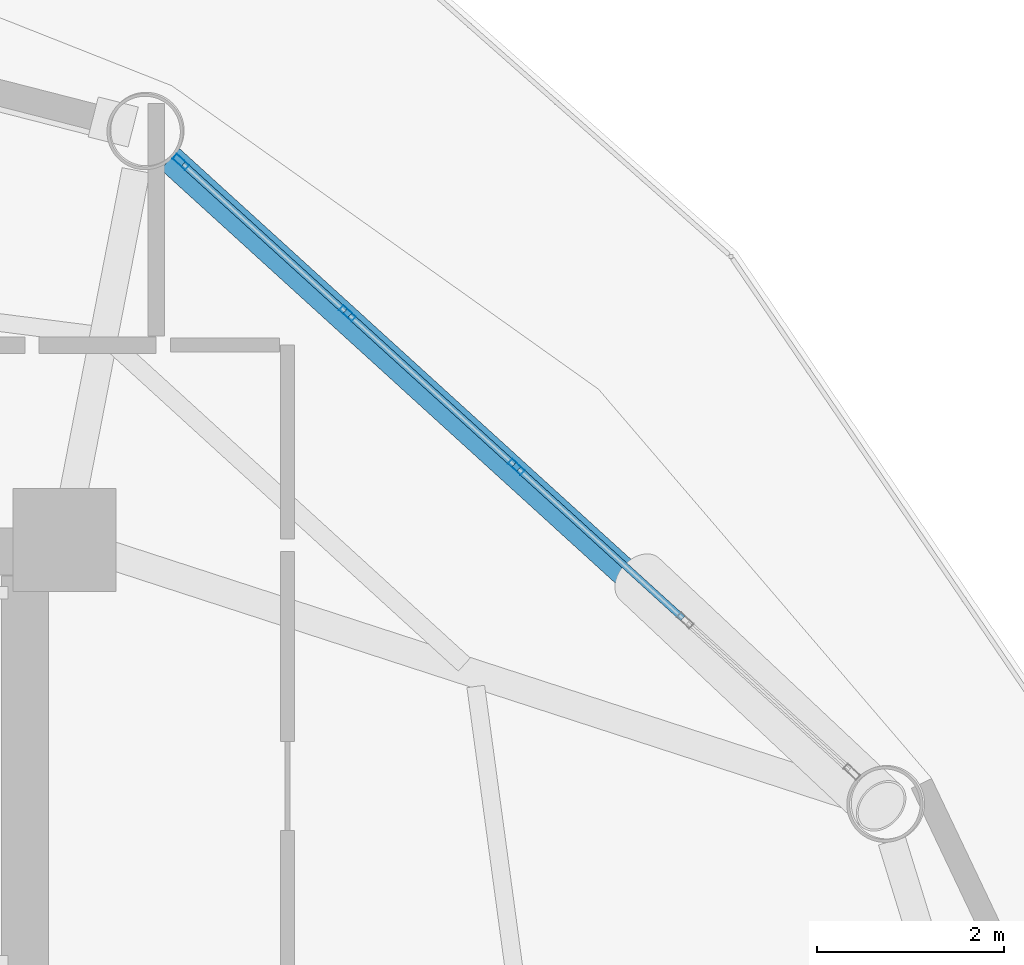
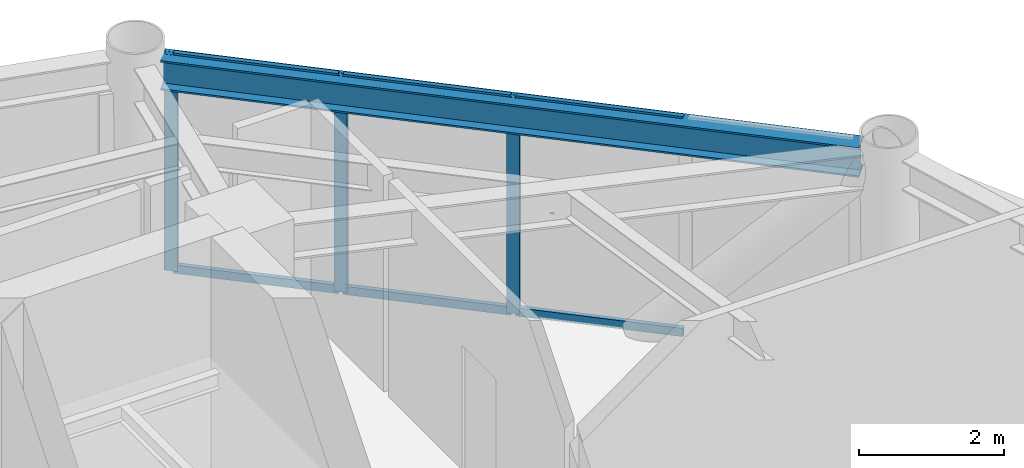
# One storey, part 19 of 26: 9 members, 1 beam, 1 element without a shape of its own.
"""IFC4 building model written with IfcOpenShell, lengths in metres."""

from ifc_helpers import new_model, si_unit, direction, frame, origin, origin_2d, place, context, subcontext, project, spatial, hollow_rectangle, i_section, extrude, material, layer, layer_set, material_profile, profile_set, type_object, element, aggregate, save


model = new_model("IFC4")

# Units and contexts
model_context = context("Model", 3, precision=1e-05, world=origin(), true_north=direction((0.0, 1.0)))
body_context = subcontext(model_context, "Body", "Model", "MODEL_VIEW")
ifc_project = project(units=[si_unit("LENGTHUNIT", "METRE"), si_unit("AREAUNIT", "SQUARE_METRE"), si_unit("VOLUMEUNIT", "CUBIC_METRE"), si_unit("PLANEANGLEUNIT", "RADIAN"), si_unit("MASSUNIT", "GRAM", prefix="KILO")], contexts=[model_context])

# Site, building, storey
site_placement = place(None, origin())
site = spatial("IfcSite", under=ifc_project, at=site_placement, CompositionType="ELEMENT")
building_placement = place(site_placement, origin())
building = spatial("IfcBuilding", under=site, at=building_placement, Name="Varnakorn Sky Granary", CompositionType="ELEMENT")
storey_placement = place(building_placement, frame((0.0, 0.0, 95.39990234375)))
storey = spatial("IfcBuildingStorey", under=building, at=storey_placement, Name="L23", CompositionType="ELEMENT", Elevation=95.39990234375)

# Beam
ifc_material_1 = material(Name="Steel S355JR", Category="steel")
ifc_material_profile_1 = material_profile(ifc_material_1, i_section(OverallWidth=0.300048828125, OverallDepth=0.5, WebThickness=0.014404296875, FlangeThickness=0.028076171875, at=origin_2d()), Name="HE 500 B")
ifc_profile_set_1 = profile_set([ifc_material_profile_1], Name="Steel S355JR")
beam_type = type_object("IfcBeamType", Name="BM-SPD-Z2", PredefinedType="SPANDREL", material=ifc_profile_set_1)
beam_placement = place(storey_placement, frame((16.843017578125, 10.04931640625, 3.39013671875), z_axis=(-0.739721624691, 0.67291300921, 0.0), x_axis=(-0.67291300921, -0.739721624691, 0.0)))
element("IfcBeam", 1, at=beam_placement, inside=storey, type_object=beam_type, Name="Perimeter Spandrel Ring Beam RB02 L23", PredefinedType="SPANDREL", context=body_context, shape_type="SweptSolid", body=[
    extrude(i_section(OverallWidth=0.300048828125, OverallDepth=0.5, WebThickness=0.014404296875, FlangeThickness=0.028076171875, at=origin_2d()), origin(), (0.0, 0.0, 1.0), 9.863037109375),
])

# Curtain wall, members
ifc_material_2 = material(Name="Anodised Bronze Aluminium Alloy 6063-T6", Category="aluminium")
ifc_layer = layer(ifc_material_2, 0.18994140625, Name="Anodised Bronze Aluminium Alloy 6063-T6")
ifc_layer_set = layer_set([ifc_layer], Name="Anodised Bronze Aluminium Alloy 6063-T6")
curtain_wall_type = type_object("IfcCurtainWallType", Name="CW-FRM-1", PredefinedType="USERDEFINED", material=ifc_layer_set)
curtain_wall_placement = place(storey_placement, origin())
curtain_wall = element("IfcCurtainWall", 2, at=curtain_wall_placement, inside=storey, type_object=curtain_wall_type, Name="Unitised Curtain Wall CW3 CW-L23-B02", ObjectType="CURTAIN WALL", PredefinedType="USERDEFINED")
ifc_material_profile_2 = material_profile(ifc_material_2, hollow_rectangle(XDim=0.070068359375, YDim=0.18505859375, WallThickness=0.00390625, at=origin_2d()), Name="ALU MULL 70x185")
ifc_profile_set_2 = profile_set([ifc_material_profile_2], Name="Anodised Bronze Aluminium Alloy 6063-T6")
member_type_1 = type_object("IfcMemberType", Name="CW-FRM-1-MULL", PredefinedType="MULLION", material=ifc_profile_set_2)
member_1_placement = place(storey_placement, frame((9.662109375, 16.654052734375, 0.0), z_axis=(0.0, 0.0, 1.0), x_axis=(0.67267177226, 0.739941002246, 0.0)))
member_1 = element("IfcMember", 3, at=member_1_placement, type_object=member_type_1, Name="CW3 mullion 1", PredefinedType="MULLION", context=body_context, shape_type="SweptSolid", body=[
    extrude(hollow_rectangle(XDim=0.070068359375, YDim=0.18505859375, WallThickness=0.00390625, at=origin_2d()), origin(), (0.0, 0.0, 1.0), 3.64013671875),
])
member_2_placement = place(storey_placement, frame((11.4384765625, 15.0390625, 0.0), z_axis=(0.0, 0.0, 1.0), x_axis=(0.67267177226, 0.739941002246, 0.0)))
member_2 = element("IfcMember", 4, at=member_2_placement, type_object=member_type_1, Name="CW3 mullion 2", PredefinedType="MULLION", context=body_context, shape_type="SweptSolid", body=[
    extrude(hollow_rectangle(XDim=0.070068359375, YDim=0.18505859375, WallThickness=0.00390625, at=origin_2d()), origin(), (0.0, 0.0, 1.0), 3.64013671875),
])
member_3_placement = place(storey_placement, frame((13.24072265625, 13.400634765625, 0.0), z_axis=(0.0, 0.0, 1.0), x_axis=(0.67267177226, 0.739941002246, 0.0)))
member_3 = element("IfcMember", 5, at=member_3_placement, type_object=member_type_1, Name="CW3 mullion 3", PredefinedType="MULLION", context=body_context, shape_type="SweptSolid", body=[
    extrude(hollow_rectangle(XDim=0.070068359375, YDim=0.18505859375, WallThickness=0.00390625, at=origin_2d()), origin(), (0.0, 0.0, 1.0), 3.64013671875),
])
ifc_material_profile_3 = material_profile(ifc_material_2, hollow_rectangle(XDim=0.070068359375, YDim=0.139892578125, WallThickness=0.00341796875, at=origin_2d()), Name="ALU TRAN 70x140")
ifc_profile_set_3 = profile_set([ifc_material_profile_3], Name="Anodised Bronze Aluminium Alloy 6063-T6")
member_type_2 = type_object("IfcMemberType", Name="CW-FRM-1-TRAN", PredefinedType="USERDEFINED", material=ifc_profile_set_3)
member_4_placement = place(storey_placement, frame((9.68798828125, 16.630615234375, 0.03515625), z_axis=(0.739930593984, -0.672683221201, 0.0), x_axis=(0.672683221201, 0.739930593984, 0.0)))
member_4 = element("IfcMember", 6, at=member_4_placement, type_object=member_type_2, Name="CW3 transom 1.1", ObjectType="TRANSOM", PredefinedType="USERDEFINED", context=body_context, shape_type="SweptSolid", body=[
    extrude(hollow_rectangle(XDim=0.070068359375, YDim=0.139892578125, WallThickness=0.00341796875, at=origin_2d()), origin(), (0.0, 0.0, 1.0), 2.330810546875),
])
member_5_placement = place(storey_placement, frame((9.68798828125, 16.630615234375, 3.60498046875), z_axis=(0.739930593984, -0.672683221201, 0.0), x_axis=(0.672683221201, 0.739930593984, 0.0)))
member_5 = element("IfcMember", 7, at=member_5_placement, type_object=member_type_2, Name="CW3 transom 1.2", ObjectType="TRANSOM", PredefinedType="USERDEFINED", context=body_context, shape_type="SweptSolid", body=[
    extrude(hollow_rectangle(XDim=0.070068359375, YDim=0.139892578125, WallThickness=0.00341796875, at=origin_2d()), origin(), (0.0, 0.0, 1.0), 2.330810546875),
])
member_6_placement = place(storey_placement, frame((11.46435546875, 15.015625, 0.03515625), z_axis=(0.739949412759, -0.672662520553, 0.0), x_axis=(0.672662520553, 0.739949412759, 0.0)))
member_6 = element("IfcMember", 8, at=member_6_placement, type_object=member_type_2, Name="CW3 transom 2.1", ObjectType="TRANSOM", PredefinedType="USERDEFINED", context=body_context, shape_type="SweptSolid", body=[
    extrude(hollow_rectangle(XDim=0.070068359375, YDim=0.139892578125, WallThickness=0.00341796875, at=origin_2d()), origin(), (0.0, 0.0, 1.0), 2.36572265625),
])
member_7_placement = place(storey_placement, frame((11.46435546875, 15.015625, 3.60498046875), z_axis=(0.739949412759, -0.672662520553, 0.0), x_axis=(0.672662520553, 0.739949412759, 0.0)))
member_7 = element("IfcMember", 9, at=member_7_placement, type_object=member_type_2, Name="CW3 transom 2.2", ObjectType="TRANSOM", PredefinedType="USERDEFINED", context=body_context, shape_type="SweptSolid", body=[
    extrude(hollow_rectangle(XDim=0.070068359375, YDim=0.139892578125, WallThickness=0.00341796875, at=origin_2d()), origin(), (0.0, 0.0, 1.0), 2.36572265625),
])
member_8_placement = place(storey_placement, frame((13.2666015625, 13.377197265625, 0.03515625), z_axis=(0.739949412759, -0.672662520553, 0.0), x_axis=(0.672662520553, 0.739949412759, 0.0)))
member_8 = element("IfcMember", 10, at=member_8_placement, type_object=member_type_2, Name="CW3 transom 3.1", ObjectType="TRANSOM", PredefinedType="USERDEFINED", context=body_context, shape_type="SweptSolid", body=[
    extrude(hollow_rectangle(XDim=0.070068359375, YDim=0.139892578125, WallThickness=0.00341796875, at=origin_2d()), origin(), (0.0, 0.0, 1.0), 2.36572265625),
])
member_9_placement = place(storey_placement, frame((13.2666015625, 13.377197265625, 3.60498046875), z_axis=(0.739949412759, -0.672662520553, 0.0), x_axis=(0.672662520553, 0.739949412759, 0.0)))
member_9 = element("IfcMember", 11, at=member_9_placement, type_object=member_type_2, Name="CW3 transom 3.2", ObjectType="TRANSOM", PredefinedType="USERDEFINED", context=body_context, shape_type="SweptSolid", body=[
    extrude(hollow_rectangle(XDim=0.070068359375, YDim=0.139892578125, WallThickness=0.00341796875, at=origin_2d()), origin(), (0.0, 0.0, 1.0), 2.36572265625),
])
aggregate(curtain_wall, [member_1, member_2, member_3, member_4, member_5, member_6, member_7, member_8, member_9])

save(model, "model.ifc")
